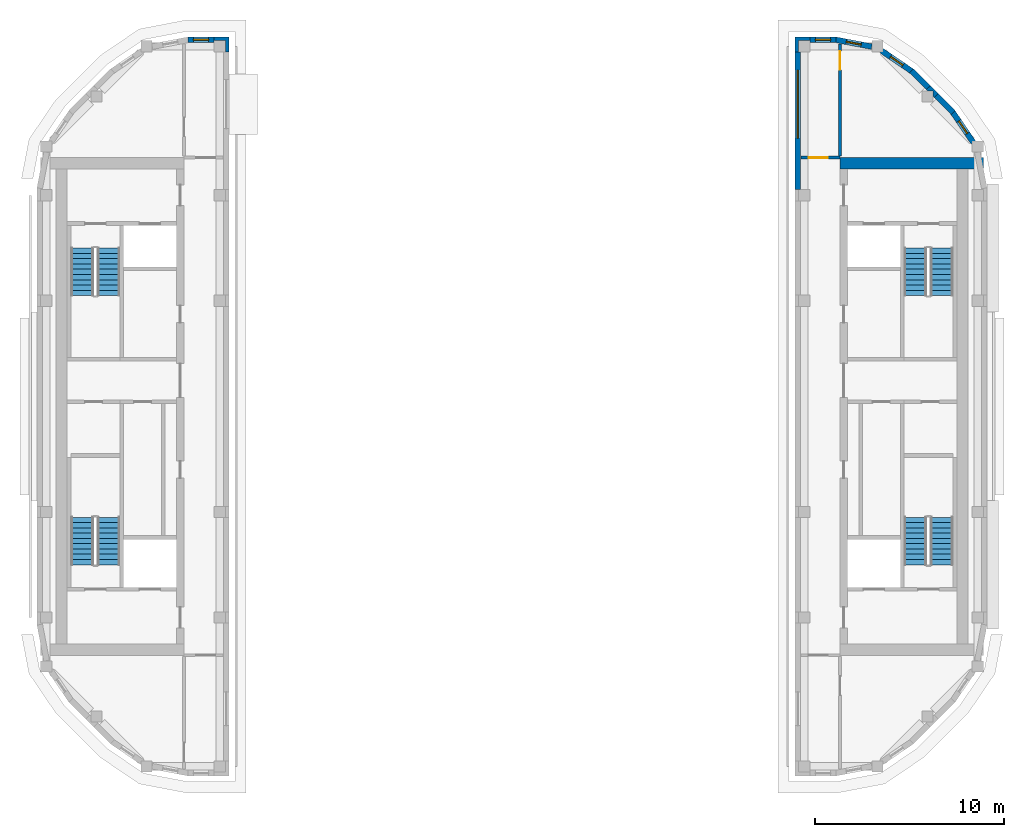
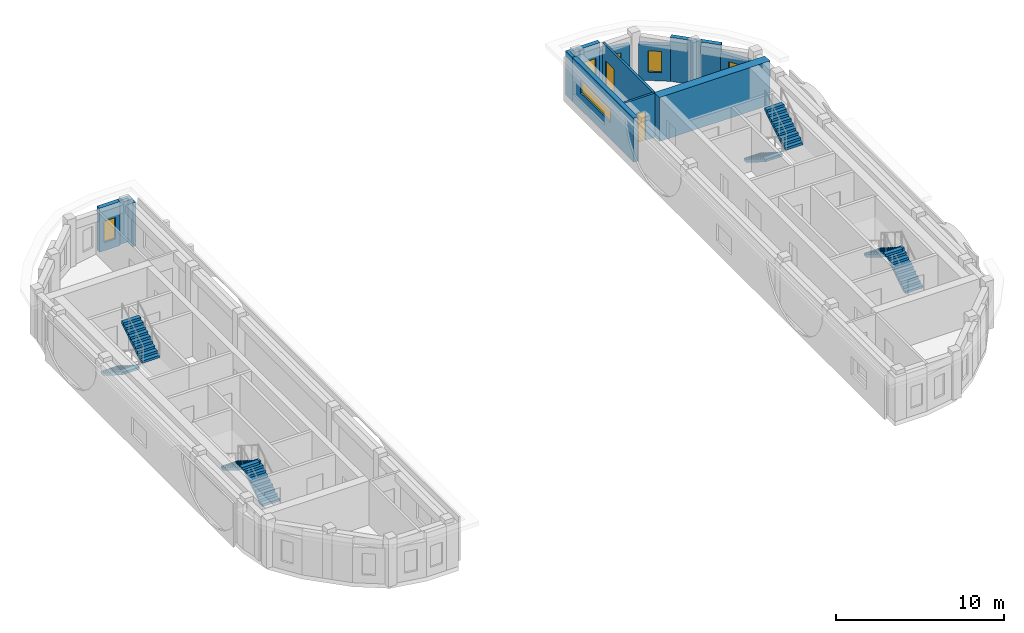
# One storey, part 5 of 12: 14 walls, 8 stair flights, 6 windows, 2 doors, 8 openings, 4 elements without a shape of their own.
"""IFC4 building model written with IfcOpenShell, lengths in metres."""

from ifc_helpers import new_model, si_unit, direction, frame, frame_2d, origin, place, context, subcontext, project, spatial, polyline, rectangle, outline, extrude, material, layer, layer_set, type_object, element, fill, aggregate, save


model = new_model("IFC4")

# Units and contexts
model_context = context("Model", 3, precision=1e-05, world=origin(), true_north=direction((0.0, 1.0)))
body_context = subcontext(model_context, "Body", "Model", "MODEL_VIEW")
ifc_project = project(units=[si_unit("LENGTHUNIT", "METRE"), si_unit("AREAUNIT", "SQUARE_METRE"), si_unit("VOLUMEUNIT", "CUBIC_METRE"), si_unit("PLANEANGLEUNIT", "RADIAN"), si_unit("MASSUNIT", "GRAM", prefix="KILO")], contexts=[model_context])

# Site, building, storey
site_placement = place(None, origin())
site = spatial("IfcSite", under=ifc_project, at=site_placement, CompositionType="ELEMENT")
building_placement = place(site_placement, origin())
building = spatial("IfcBuilding", under=site, at=building_placement, Name="Kiln Ring Residences", CompositionType="ELEMENT")
storey_placement = place(building_placement, frame((0.0, 0.0, 306.89990234375)))
storey = spatial("IfcBuildingStorey", under=building, at=storey_placement, Name="L79 Crown", CompositionType="ELEMENT", Elevation=306.89990234375)

# Wall
ifc_material_1 = material(Name="Concrete C60/75", Category="concrete")
ifc_layer_1 = layer(ifc_material_1, 0.60009765625)
ifc_layer_set_1 = layer_set([ifc_layer_1], Name="CORE-WALL-RC600")
wall_type_1 = type_object("IfcWallType", Name="CORE-WALL-RC600", PredefinedType="SHEAR", material=ifc_layer_set_1)
wall_1_placement = place(storey_placement, frame((17.39990234375, 12.89990234375, 0.0), z_axis=(0.0, 0.0, 1.0), x_axis=(1.0, 0.0, 0.0)))
element("IfcWall", 1, at=wall_1_placement, inside=storey, type_object=wall_type_1, Name="Core wall east L79 Crown 4", PredefinedType="SHEAR", context=body_context, shape_type="SweptSolid", body=[
    extrude(rectangle(XDim=7.60009765625, YDim=0.60009765625, at=frame_2d((3.800048828125, 0.0))), origin(), (0.0, 0.0, 1.0), 3.2001953125),
])

# Wall, opening, window
ifc_material_2 = material(Name="Brick masonry, dark clay brick", Category="masonry")
ifc_layer_2 = layer(ifc_material_2, 0.300048828125)
ifc_layer_set_2 = layer_set([ifc_layer_2], Name="EW-300 BRICK WALL")
wall_type_2 = type_object("IfcWallType", Name="EW-300 BRICK WALL", PredefinedType="SOLIDWALL", material=ifc_layer_set_2)
wall_2_placement = place(storey_placement, frame((-15.800048828125, 19.449951171875, 0.0), z_axis=(0.0, 0.0, 1.0), x_axis=(-1.0, 0.0, 0.0)))
wall_2 = element("IfcWall", 2, at=wall_2_placement, inside=storey, type_object=wall_type_2, Name="Facade wall L79 Crown 9", PredefinedType="SOLIDWALL", context=body_context, shape_type="SweptSolid", body=[
    extrude(rectangle(XDim=1.39990234375, YDim=0.300048828125, at=frame_2d((0.699951171875, 0.0))), origin(), (0.0, 0.0, 1.0), 3.2001953125),
])
opening_1_placement = place(wall_2_placement, frame((0.300048828125, 0.0, 0.60009765625)))
opening_1 = element("IfcOpeningElement", 3, at=opening_1_placement, cuts=wall_2, Name="Opening W5", PredefinedType="OPENING", context=body_context, shape_type="SweptSolid", body=[
    extrude(rectangle(XDim=0.800048828125, YDim=1.550048828125, at=frame_2d((0.39990234375, 0.77490234375))), frame((0.0, 0.159912109375, 0.0), z_axis=(0.0, -1.0, 0.0), x_axis=(1.0, 0.0, 0.0)), (0.0, 0.0, 1.0), 0.320068359375),
])
ifc_material_3 = material(Name="Aluminium frame with double glazing", Category="aluminium")
window_type_1 = type_object("IfcWindowType", Name="WINDOW 800 x 1550", PartitioningType="SINGLE_PANEL", PredefinedType="WINDOW", material=ifc_material_3)
window_1_placement = place(opening_1_placement, origin())
window_1 = element("IfcWindow", 4, at=window_1_placement, inside=storey, type_object=window_type_1, Name="Window L79 Crown 6", OverallHeight=1.550048828125, OverallWidth=0.800048828125, PartitioningType="SINGLE_PANEL", PredefinedType="WINDOW", context=body_context, shape_type="SweptSolid", body=[
    extrude(rectangle(XDim=0.800048828125, YDim=1.550048828125, at=frame_2d((0.39990234375, 0.77490234375))), frame((0.0, 0.030029296875, 0.0), z_axis=(0.0, -1.0, 0.0), x_axis=(1.0, 0.0, 0.0)), (0.0, 0.0, 1.0), 0.06005859375),
])
fill(opening_1, window_1)

wall_3_placement = place(storey_placement, frame((15.14990234375, 18.800048828125, 0.0), z_axis=(0.0, 0.0, 1.0), x_axis=(0.0, -1.0, 0.0)))
wall_3 = element("IfcWall", 5, at=wall_3_placement, inside=storey, type_object=wall_type_2, Name="Facade wall L79 Crown 23", PredefinedType="SOLIDWALL", context=body_context, shape_type="SweptSolid", body=[
    extrude(rectangle(XDim=7.300048828125, YDim=0.300048828125, at=frame_2d((3.64990234375, 0.0))), origin(), (0.0, 0.0, 1.0), 3.2001953125),
])
opening_2_placement = place(wall_3_placement, frame((0.96240234375, 0.0, 1.199951171875)))
opening_2 = element("IfcOpeningElement", 6, at=opening_2_placement, cuts=wall_3, Name="Opening W4", PredefinedType="OPENING", context=body_context, shape_type="SweptSolid", body=[
    extrude(rectangle(XDim=3.60009765625, YDim=0.949951171875, at=frame_2d((1.800048828125, 0.47509765625))), frame((0.0, 0.159912109375, 0.0), z_axis=(0.0, -1.0, 0.0), x_axis=(1.0, 0.0, 0.0)), (0.0, 0.0, 1.0), 0.320068359375),
])
ifc_material_4 = material(Name="Aluminium frame with double glazing", Category="aluminium")
window_type_2 = type_object("IfcWindowType", Name="WINDOW 3600 x 950", PartitioningType="SINGLE_PANEL", PredefinedType="WINDOW", material=ifc_material_4)
window_2_placement = place(opening_2_placement, origin())
window_2 = element("IfcWindow", 7, at=window_2_placement, inside=storey, type_object=window_type_2, Name="Window L79 Crown 11", OverallHeight=0.949951171875, OverallWidth=3.60009765625, PartitioningType="SINGLE_PANEL", PredefinedType="WINDOW", context=body_context, shape_type="SweptSolid", body=[
    extrude(rectangle(XDim=3.60009765625, YDim=0.949951171875, at=frame_2d((1.800048828125, 0.47509765625))), frame((0.0, 0.030029296875, 0.0), z_axis=(0.0, -1.0, 0.0), x_axis=(1.0, 0.0, 0.0)), (0.0, 0.0, 1.0), 0.06005859375),
])
fill(opening_2, window_2)

wall_4_placement = place(storey_placement, frame((24.4736328125, 14.001708984375, 0.0), z_axis=(0.0, 0.0, 1.0), x_axis=(-0.562025435703, 0.827119948752, 0.0)))
wall_4 = element("IfcWall", 8, at=wall_4_placement, inside=storey, type_object=wall_type_2, Name="Facade wall L79 Crown 39", PredefinedType="SOLIDWALL", context=body_context, shape_type="SweptSolid", body=[
    extrude(rectangle(XDim=1.94775390625, YDim=0.300048828125, at=frame_2d((0.973876953125, 0.0))), origin(), (0.0, 0.0, 1.0), 2.60009765625),
])
opening_3_placement = place(wall_4_placement, frame((0.573974609375, 0.0, 0.60009765625)))
opening_3 = element("IfcOpeningElement", 9, at=opening_3_placement, cuts=wall_4, Name="Opening W5", PredefinedType="OPENING", context=body_context, shape_type="SweptSolid", body=[
    extrude(rectangle(XDim=0.800048828125, YDim=1.550048828125, at=frame_2d((0.39990234375, 0.77490234375))), frame((0.0, 0.159912109375, 0.0), z_axis=(0.0, -1.0, 0.0), x_axis=(1.0, 0.0, 0.0)), (0.0, 0.0, 1.0), 0.320068359375),
])
window_3_placement = place(opening_3_placement, origin())
window_3 = element("IfcWindow", 10, at=window_3_placement, inside=storey, type_object=window_type_1, Name="Window L79 Crown 17", OverallHeight=1.550048828125, OverallWidth=0.800048828125, PartitioningType="SINGLE_PANEL", PredefinedType="WINDOW", context=body_context, shape_type="SweptSolid", body=[
    extrude(rectangle(XDim=0.800048828125, YDim=1.550048828125, at=frame_2d((0.39990234375, 0.77490234375))), frame((0.0, 0.030029296875, 0.0), z_axis=(0.0, -1.0, 0.0), x_axis=(1.0, 0.0, 0.0)), (0.0, 0.0, 1.0), 0.06005859375),
])
fill(opening_3, window_3)

# Walls
for number, where, z_axis, x_axis, name in (
    (11, (23.39697265625, 15.591064453125, 0.0), (0.0, 0.0, 1.0), (-0.707203678312, 0.707009870781, 0.0), "Facade wall L79 Crown 40"),
    (12, (22.081787109375, 16.906005859375, 0.0), (0.0, 0.0, 1.0), (-0.707106781187, 0.707106781187, 0.0), "Facade wall L79 Crown 41"),
):
    element("IfcWall", number, at=place(storey_placement, frame(where, z_axis=z_axis, x_axis=x_axis)), inside=storey, type_object=wall_type_2, Name=name, PredefinedType="SOLIDWALL", context=body_context, shape_type="SweptSolid", body=[
        extrude(rectangle(XDim=1.259765625, YDim=0.300048828125, at=frame_2d((0.6298828125, 0.0))), origin(), (0.0, 0.0, 1.0), 3.2001953125),
    ])

# Wall, opening, window
wall_5_placement = place(storey_placement, frame((21.212646484375, 17.77880859375, 0.0), z_axis=(0.0, 0.0, 1.0), x_axis=(-0.827022075481, 0.562169446579, 0.0)))
wall_5 = element("IfcWall", 13, at=wall_5_placement, inside=storey, type_object=wall_type_2, Name="Facade wall L79 Crown 42", PredefinedType="SOLIDWALL", context=body_context, shape_type="SweptSolid", body=[
    extrude(rectangle(XDim=1.94775390625, YDim=0.300048828125, at=frame_2d((0.973876953125, 0.0))), origin(), (0.0, 0.0, 1.0), 2.60009765625),
])
opening_4_placement = place(wall_5_placement, frame((0.573974609375, 0.0, 0.60009765625)))
opening_4 = element("IfcOpeningElement", 14, at=opening_4_placement, cuts=wall_5, Name="Opening W5", PredefinedType="OPENING", context=body_context, shape_type="SweptSolid", body=[
    extrude(rectangle(XDim=0.800048828125, YDim=1.550048828125, at=frame_2d((0.39990234375, 0.77490234375))), frame((0.0, 0.159912109375, 0.0), z_axis=(0.0, -1.0, 0.0), x_axis=(1.0, 0.0, 0.0)), (0.0, 0.0, 1.0), 0.320068359375),
])
window_4_placement = place(opening_4_placement, origin())
window_4 = element("IfcWindow", 15, at=window_4_placement, inside=storey, type_object=window_type_1, Name="Window L79 Crown 18", OverallHeight=1.550048828125, OverallWidth=0.800048828125, PartitioningType="SINGLE_PANEL", PredefinedType="WINDOW", context=body_context, shape_type="SweptSolid", body=[
    extrude(rectangle(XDim=0.800048828125, YDim=1.550048828125, at=frame_2d((0.39990234375, 0.77490234375))), frame((0.0, 0.030029296875, 0.0), z_axis=(0.0, -1.0, 0.0), x_axis=(1.0, 0.0, 0.0)), (0.0, 0.0, 1.0), 0.06005859375),
])
fill(opening_4, window_4)

wall_6_placement = place(storey_placement, frame((19.085205078125, 19.087646484375, 0.0), z_axis=(0.0, 0.0, 1.0), x_axis=(-0.982286967073, 0.187382801553, 0.0)))
wall_6 = element("IfcWall", 16, at=wall_6_placement, inside=storey, type_object=wall_type_2, Name="Facade wall L79 Crown 43", PredefinedType="SOLIDWALL", context=body_context, shape_type="SweptSolid", body=[
    extrude(rectangle(XDim=1.94775390625, YDim=0.300048828125, at=frame_2d((0.973876953125, 0.0))), origin(), (0.0, 0.0, 1.0), 2.60009765625),
])
opening_5_placement = place(wall_6_placement, frame((0.573974609375, 0.0, 0.60009765625)))
opening_5 = element("IfcOpeningElement", 17, at=opening_5_placement, cuts=wall_6, Name="Opening W5", PredefinedType="OPENING", context=body_context, shape_type="SweptSolid", body=[
    extrude(rectangle(XDim=0.800048828125, YDim=1.550048828125, at=frame_2d((0.39990234375, 0.77490234375))), frame((0.0, 0.159912109375, 0.0), z_axis=(0.0, -1.0, 0.0), x_axis=(1.0, 0.0, 0.0)), (0.0, 0.0, 1.0), 0.320068359375),
])
window_5_placement = place(opening_5_placement, origin())
window_5 = element("IfcWindow", 18, at=window_5_placement, inside=storey, type_object=window_type_1, Name="Window L79 Crown 19", OverallHeight=1.550048828125, OverallWidth=0.800048828125, PartitioningType="SINGLE_PANEL", PredefinedType="WINDOW", context=body_context, shape_type="SweptSolid", body=[
    extrude(rectangle(XDim=0.800048828125, YDim=1.550048828125, at=frame_2d((0.39990234375, 0.77490234375))), frame((0.0, 0.030029296875, 0.0), z_axis=(0.0, -1.0, 0.0), x_axis=(1.0, 0.0, 0.0)), (0.0, 0.0, 1.0), 0.06005859375),
])
fill(opening_5, window_5)

wall_7_placement = place(storey_placement, frame((17.199951171875, 19.449951171875, 0.0), z_axis=(0.0, 0.0, 1.0), x_axis=(-1.0, 0.0, 0.0)))
wall_7 = element("IfcWall", 19, at=wall_7_placement, inside=storey, type_object=wall_type_2, Name="Facade wall L79 Crown 44", PredefinedType="SOLIDWALL", context=body_context, shape_type="SweptSolid", body=[
    extrude(rectangle(XDim=1.39990234375, YDim=0.300048828125, at=frame_2d((0.699951171875, 0.0))), origin(), (0.0, 0.0, 1.0), 3.2001953125),
])
opening_6_placement = place(wall_7_placement, frame((0.300048828125, 0.0, 0.60009765625)))
opening_6 = element("IfcOpeningElement", 20, at=opening_6_placement, cuts=wall_7, Name="Opening W5", PredefinedType="OPENING", context=body_context, shape_type="SweptSolid", body=[
    extrude(rectangle(XDim=0.800048828125, YDim=1.550048828125, at=frame_2d((0.39990234375, 0.77490234375))), frame((0.0, 0.159912109375, 0.0), z_axis=(0.0, -1.0, 0.0), x_axis=(1.0, 0.0, 0.0)), (0.0, 0.0, 1.0), 0.320068359375),
])
window_6_placement = place(opening_6_placement, origin())
window_6 = element("IfcWindow", 21, at=window_6_placement, inside=storey, type_object=window_type_1, Name="Window L79 Crown 20", OverallHeight=1.550048828125, OverallWidth=0.800048828125, PartitioningType="SINGLE_PANEL", PredefinedType="WINDOW", context=body_context, shape_type="SweptSolid", body=[
    extrude(rectangle(XDim=0.800048828125, YDim=1.550048828125, at=frame_2d((0.39990234375, 0.77490234375))), frame((0.0, 0.030029296875, 0.0), z_axis=(0.0, -1.0, 0.0), x_axis=(1.0, 0.0, 0.0)), (0.0, 0.0, 1.0), 0.06005859375),
])
fill(opening_6, window_6)

# Walls
placement = place(storey_placement, origin())
element("IfcWall", 22, at=placement, inside=storey, type_object=wall_type_2, Name="Corner wall L79 Crown 6", PredefinedType="SOLIDWALL", context=body_context, shape_type="SweptSolid", body=[
    extrude(outline(polyline([(-15.0, 18.800048828125), (-15.0, 19.60009765625), (-15.800048828125, 19.60009765625), (-15.800048828125, 19.39990234375), (-15.199951171875, 19.39990234375), (-15.199951171875, 18.800048828125), (-15.0, 18.800048828125)])), origin(), (0.0, 0.0, 1.0), 3.2001953125),
])
element("IfcWall", 23, at=placement, inside=storey, type_object=wall_type_2, Name="Corner wall L79 Crown 13", PredefinedType="SOLIDWALL", context=body_context, shape_type="SweptSolid", body=[
    extrude(outline(polyline([(22.39990234375, 16.375732421875), (22.612060546875, 16.587890625), (22.18798828125, 17.01220703125), (21.9755859375, 16.800048828125), (22.029296875, 16.746337890625), (22.346435546875, 16.746337890625), (22.346435546875, 16.42919921875), (22.39990234375, 16.375732421875)])), origin(), (0.0, 0.0, 1.0), 3.2001953125),
])
element("IfcWall", 24, at=placement, inside=storey, type_object=wall_type_2, Name="Corner wall L79 Crown 24", PredefinedType="SOLIDWALL", context=body_context, shape_type="SweptSolid", body=[
    extrude(outline(polyline([(15.800048828125, 19.60009765625), (15.0, 19.60009765625), (15.0, 18.800048828125), (15.199951171875, 18.800048828125), (15.199951171875, 19.39990234375), (15.800048828125, 19.39990234375), (15.800048828125, 19.60009765625)])), origin(), (0.0, 0.0, 1.0), 3.2001953125),
])

# Wall, opening, door
ifc_material_5 = material(Name="Brick masonry partition", Category="masonry")
ifc_layer_3 = layer(ifc_material_5, 0.14990234375)
ifc_layer_set_3 = layer_set([ifc_layer_3], Name="PARTITION-150-ei60")
wall_type_3 = type_object("IfcWallType", Name="PARTITION-150-ei60", PredefinedType="PARTITIONING", material=ifc_layer_set_3)
wall_11_placement = place(storey_placement, frame((15.320068359375, 13.199951171875, 0.0), z_axis=(0.0, 0.0, 1.0), x_axis=(1.0, 0.0, 0.0)))
wall_11 = element("IfcWall", 25, at=wall_11_placement, inside=storey, type_object=wall_type_3, Name="Partition 003", PredefinedType="PARTITIONING", context=body_context, shape_type="SweptSolid", body=[
    extrude(rectangle(XDim=2.0849609375, YDim=0.14990234375, at=frame_2d((1.04248046875, 0.0))), origin(), (0.0, 0.0, 1.0), 3.2001953125),
])
opening_7_placement = place(wall_11_placement, frame((0.429931640625, 0.0, 0.0)))
opening_7 = element("IfcOpeningElement", 26, at=opening_7_placement, cuts=wall_11, Name="Opening L79-D005", PredefinedType="OPENING", context=body_context, shape_type="SweptSolid", body=[
    extrude(rectangle(XDim=1.0, YDim=2.10009765625, at=frame_2d((0.5, 1.050048828125))), frame((0.0, 0.0849609375, 0.0), z_axis=(0.0, -1.0, 0.0), x_axis=(1.0, 0.0, 0.0)), (0.0, 0.0, 1.0), 0.169921875),
])
ifc_material_6 = material(Name="Steel faced fire door leaf", Category="steel")
door_type = type_object("IfcDoorType", Name="FLAT-DOOR-1000-FR", OperationType="SINGLE_SWING_LEFT", PredefinedType="DOOR", material=ifc_material_6)
door_1_placement = place(opening_7_placement, origin())
door_1 = element("IfcDoor", 27, at=door_1_placement, inside=storey, type_object=door_type, Name="Door L79-D005", OperationType="SINGLE_SWING_RIGHT", OverallHeight=2.10009765625, OverallWidth=1.0, PredefinedType="DOOR", context=body_context, shape_type="SweptSolid", body=[
    extrude(rectangle(XDim=1.0, YDim=2.10009765625, at=frame_2d((0.5, 1.050048828125))), frame((0.0, 0.02490234375, 0.0), z_axis=(0.0, -1.0, 0.0), x_axis=(1.0, 0.0, 0.0)), (0.0, 0.0, 1.0), 0.050048828125),
])
fill(opening_7, door_1)

wall_12_placement = place(storey_placement, frame((17.39990234375, 13.27490234375, 0.0), z_axis=(0.0, 0.0, 1.0), x_axis=(0.0, 1.0, 0.0)))
wall_12 = element("IfcWall", 28, at=wall_12_placement, inside=storey, type_object=wall_type_3, Name="Partition 007", PredefinedType="PARTITIONING", context=body_context, shape_type="SweptSolid", body=[
    extrude(rectangle(XDim=5.96142578125, YDim=0.14990234375, at=frame_2d((2.980712890625, 0.0))), origin(), (0.0, 0.0, 1.0), 3.2001953125),
])
opening_8_placement = place(wall_12_placement, frame((4.574951171875, 0.0, 0.0)))
opening_8 = element("IfcOpeningElement", 29, at=opening_8_placement, cuts=wall_12, Name="Opening L79-D006", PredefinedType="OPENING", context=body_context, shape_type="SweptSolid", body=[
    extrude(rectangle(XDim=1.0, YDim=2.10009765625, at=frame_2d((0.5, 1.050048828125))), frame((0.0, 0.0849609375, 0.0), z_axis=(0.0, -1.0, 0.0), x_axis=(1.0, 0.0, 0.0)), (0.0, 0.0, 1.0), 0.169921875),
])
door_2_placement = place(opening_8_placement, origin())
door_2 = element("IfcDoor", 30, at=door_2_placement, inside=storey, type_object=door_type, Name="Door L79-D006", OperationType="SINGLE_SWING_RIGHT", OverallHeight=2.10009765625, OverallWidth=1.0, PredefinedType="DOOR", context=body_context, shape_type="SweptSolid", body=[
    extrude(rectangle(XDim=1.0, YDim=2.10009765625, at=frame_2d((0.5, 1.050048828125))), frame((0.0, 0.02490234375, 0.0), z_axis=(0.0, -1.0, 0.0), x_axis=(1.0, 0.0, 0.0)), (0.0, 0.0, 1.0), 0.050048828125),
])
fill(opening_8, door_2)

# Stair, stair flights
ifc_material_7 = material(Name="Concrete C40/50", Category="concrete")
stair_type = type_object("IfcStairType", Name="CORE-STAIR", PredefinedType="HALF_TURN_STAIR", material=ifc_material_7)
stair_1 = element("IfcStair", 31, at=placement, inside=storey, type_object=stair_type, Name="L79 Crown stair W-STN", PredefinedType="HALF_TURN_STAIR")
ifc_material_8 = material(Name="Concrete C40/50", Category="concrete")
stair_flight_type = type_object("IfcStairFlightType", Name="CORE-STAIR-FLIGHT", PredefinedType="STRAIGHT", material=ifc_material_8)
stair_flight_1_placement = place(storey_placement, frame((-22.800048828125, 8.39990234375, 0.0), z_axis=(0.0, 0.0, 1.0), x_axis=(0.0, -1.0, 0.0)))
stair_flight_1 = element("IfcStairFlight", 32, at=stair_flight_1_placement, type_object=stair_flight_type, Name="W-STN flight 1", NumberOfRisers=10, NumberOfTreads=9, PredefinedType="STRAIGHT", RiserHeight=0.175, TreadLength=0.28, context=body_context, shape_type="SweptSolid", body=[
    extrude(outline(polyline([(0.0, 0.0), (0.0, 0.175048828125), (0.280029296875, 0.175048828125), (0.280029296875, 0.35009765625), (0.56005859375, 0.35009765625), (0.56005859375, 0.52490234375), (0.840087890625, 0.52490234375), (0.840087890625, 0.699951171875), (1.1201171875, 0.699951171875), (1.1201171875, 0.875), (1.39990234375, 0.875), (1.39990234375, 1.050048828125), (1.679931640625, 1.050048828125), (1.679931640625, 1.22509765625), (1.9599609375, 1.22509765625), (1.9599609375, 1.39990234375), (2.239990234375, 1.39990234375), (2.239990234375, 1.574951171875), (2.52001953125, 1.574951171875), (2.52001953125, 1.75), (2.52001953125, 1.398193359375), (0.28271484375, 0.0), (0.0, 0.0)])), frame((0.0, 0.60009765625, 0.0), z_axis=(0.0, -1.0, 0.0), x_axis=(1.0, 0.0, 0.0)), (0.0, 0.0, 1.0), 1.199951171875),
])
stair_flight_2_placement = place(storey_placement, frame((-21.39990234375, 5.8798828125, 1.75), z_axis=(0.0, 0.0, 1.0), x_axis=(0.0, 1.0, 0.0)))
stair_flight_2 = element("IfcStairFlight", 33, at=stair_flight_2_placement, type_object=stair_flight_type, Name="W-STN flight 2", NumberOfRisers=10, NumberOfTreads=9, PredefinedType="STRAIGHT", RiserHeight=0.175, TreadLength=0.28, context=body_context, shape_type="SweptSolid", body=[
    extrude(outline(polyline([(0.0, 0.0), (0.0, 0.175048828125), (0.280029296875, 0.175048828125), (0.280029296875, 0.35009765625), (0.56005859375, 0.35009765625), (0.56005859375, 0.52490234375), (0.840087890625, 0.52490234375), (0.840087890625, 0.699951171875), (1.1201171875, 0.699951171875), (1.1201171875, 0.875), (1.39990234375, 0.875), (1.39990234375, 1.050048828125), (1.679931640625, 1.050048828125), (1.679931640625, 1.22509765625), (1.9599609375, 1.22509765625), (1.9599609375, 1.39990234375), (2.239990234375, 1.39990234375), (2.239990234375, 1.574951171875), (2.52001953125, 1.574951171875), (2.52001953125, 1.75), (2.52001953125, 1.398193359375), (0.28271484375, 0.0), (0.0, 0.0)])), frame((0.0, 0.60009765625, 0.0), z_axis=(0.0, -1.0, 0.0), x_axis=(1.0, 0.0, 0.0)), (0.0, 0.0, 1.0), 1.199951171875),
])
aggregate(stair_1, [stair_flight_1, stair_flight_2])

stair_2 = element("IfcStair", 34, at=placement, inside=storey, type_object=stair_type, Name="L79 Crown stair W-STS", PredefinedType="HALF_TURN_STAIR")
stair_flight_3_placement = place(storey_placement, frame((-21.39990234375, -8.39990234375, 0.0), z_axis=(0.0, 0.0, 1.0), x_axis=(0.0, 1.0, 0.0)))
stair_flight_3 = element("IfcStairFlight", 35, at=stair_flight_3_placement, type_object=stair_flight_type, Name="W-STS flight 1", NumberOfRisers=10, NumberOfTreads=9, PredefinedType="STRAIGHT", RiserHeight=0.175, TreadLength=0.28, context=body_context, shape_type="SweptSolid", body=[
    extrude(outline(polyline([(0.0, 0.0), (0.0, 0.175048828125), (0.280029296875, 0.175048828125), (0.280029296875, 0.35009765625), (0.56005859375, 0.35009765625), (0.56005859375, 0.52490234375), (0.840087890625, 0.52490234375), (0.840087890625, 0.699951171875), (1.1201171875, 0.699951171875), (1.1201171875, 0.875), (1.39990234375, 0.875), (1.39990234375, 1.050048828125), (1.679931640625, 1.050048828125), (1.679931640625, 1.22509765625), (1.9599609375, 1.22509765625), (1.9599609375, 1.39990234375), (2.239990234375, 1.39990234375), (2.239990234375, 1.574951171875), (2.52001953125, 1.574951171875), (2.52001953125, 1.75), (2.52001953125, 1.398193359375), (0.28271484375, 0.0), (0.0, 0.0)])), frame((0.0, 0.60009765625, 0.0), z_axis=(0.0, -1.0, 0.0), x_axis=(1.0, 0.0, 0.0)), (0.0, 0.0, 1.0), 1.199951171875),
])
stair_flight_4_placement = place(storey_placement, frame((-22.800048828125, -5.8798828125, 1.75), z_axis=(0.0, 0.0, 1.0), x_axis=(0.0, -1.0, 0.0)))
stair_flight_4 = element("IfcStairFlight", 36, at=stair_flight_4_placement, type_object=stair_flight_type, Name="W-STS flight 2", NumberOfRisers=10, NumberOfTreads=9, PredefinedType="STRAIGHT", RiserHeight=0.175, TreadLength=0.28, context=body_context, shape_type="SweptSolid", body=[
    extrude(outline(polyline([(0.0, 0.0), (0.0, 0.175048828125), (0.280029296875, 0.175048828125), (0.280029296875, 0.35009765625), (0.56005859375, 0.35009765625), (0.56005859375, 0.52490234375), (0.840087890625, 0.52490234375), (0.840087890625, 0.699951171875), (1.1201171875, 0.699951171875), (1.1201171875, 0.875), (1.39990234375, 0.875), (1.39990234375, 1.050048828125), (1.679931640625, 1.050048828125), (1.679931640625, 1.22509765625), (1.9599609375, 1.22509765625), (1.9599609375, 1.39990234375), (2.239990234375, 1.39990234375), (2.239990234375, 1.574951171875), (2.52001953125, 1.574951171875), (2.52001953125, 1.75), (2.52001953125, 1.398193359375), (0.28271484375, 0.0), (0.0, 0.0)])), frame((0.0, 0.60009765625, 0.0), z_axis=(0.0, -1.0, 0.0), x_axis=(1.0, 0.0, 0.0)), (0.0, 0.0, 1.0), 1.199951171875),
])
aggregate(stair_2, [stair_flight_3, stair_flight_4])

stair_3 = element("IfcStair", 37, at=placement, inside=storey, type_object=stair_type, Name="L79 Crown stair E-STN", PredefinedType="HALF_TURN_STAIR")
stair_flight_5_placement = place(storey_placement, frame((21.39990234375, 8.39990234375, 0.0), z_axis=(0.0, 0.0, 1.0), x_axis=(0.0, -1.0, 0.0)))
stair_flight_5 = element("IfcStairFlight", 38, at=stair_flight_5_placement, type_object=stair_flight_type, Name="E-STN flight 1", NumberOfRisers=10, NumberOfTreads=9, PredefinedType="STRAIGHT", RiserHeight=0.175, TreadLength=0.28, context=body_context, shape_type="SweptSolid", body=[
    extrude(outline(polyline([(0.0, 0.0), (0.0, 0.175048828125), (0.280029296875, 0.175048828125), (0.280029296875, 0.35009765625), (0.56005859375, 0.35009765625), (0.56005859375, 0.52490234375), (0.840087890625, 0.52490234375), (0.840087890625, 0.699951171875), (1.1201171875, 0.699951171875), (1.1201171875, 0.875), (1.39990234375, 0.875), (1.39990234375, 1.050048828125), (1.679931640625, 1.050048828125), (1.679931640625, 1.22509765625), (1.9599609375, 1.22509765625), (1.9599609375, 1.39990234375), (2.239990234375, 1.39990234375), (2.239990234375, 1.574951171875), (2.52001953125, 1.574951171875), (2.52001953125, 1.75), (2.52001953125, 1.398193359375), (0.28271484375, 0.0), (0.0, 0.0)])), frame((0.0, 0.60009765625, 0.0), z_axis=(0.0, -1.0, 0.0), x_axis=(1.0, 0.0, 0.0)), (0.0, 0.0, 1.0), 1.199951171875),
])
stair_flight_6_placement = place(storey_placement, frame((22.800048828125, 5.8798828125, 1.75), z_axis=(0.0, 0.0, 1.0), x_axis=(0.0, 1.0, 0.0)))
stair_flight_6 = element("IfcStairFlight", 39, at=stair_flight_6_placement, type_object=stair_flight_type, Name="E-STN flight 2", NumberOfRisers=10, NumberOfTreads=9, PredefinedType="STRAIGHT", RiserHeight=0.175, TreadLength=0.28, context=body_context, shape_type="SweptSolid", body=[
    extrude(outline(polyline([(0.0, 0.0), (0.0, 0.175048828125), (0.280029296875, 0.175048828125), (0.280029296875, 0.35009765625), (0.56005859375, 0.35009765625), (0.56005859375, 0.52490234375), (0.840087890625, 0.52490234375), (0.840087890625, 0.699951171875), (1.1201171875, 0.699951171875), (1.1201171875, 0.875), (1.39990234375, 0.875), (1.39990234375, 1.050048828125), (1.679931640625, 1.050048828125), (1.679931640625, 1.22509765625), (1.9599609375, 1.22509765625), (1.9599609375, 1.39990234375), (2.239990234375, 1.39990234375), (2.239990234375, 1.574951171875), (2.52001953125, 1.574951171875), (2.52001953125, 1.75), (2.52001953125, 1.398193359375), (0.28271484375, 0.0), (0.0, 0.0)])), frame((0.0, 0.60009765625, 0.0), z_axis=(0.0, -1.0, 0.0), x_axis=(1.0, 0.0, 0.0)), (0.0, 0.0, 1.0), 1.199951171875),
])
aggregate(stair_3, [stair_flight_5, stair_flight_6])

stair_4 = element("IfcStair", 40, at=placement, inside=storey, type_object=stair_type, Name="L79 Crown stair E-STS", PredefinedType="HALF_TURN_STAIR")
stair_flight_7_placement = place(storey_placement, frame((22.800048828125, -8.39990234375, 0.0), z_axis=(0.0, 0.0, 1.0), x_axis=(0.0, 1.0, 0.0)))
stair_flight_7 = element("IfcStairFlight", 41, at=stair_flight_7_placement, type_object=stair_flight_type, Name="E-STS flight 1", NumberOfRisers=10, NumberOfTreads=9, PredefinedType="STRAIGHT", RiserHeight=0.175, TreadLength=0.28, context=body_context, shape_type="SweptSolid", body=[
    extrude(outline(polyline([(0.0, 0.0), (0.0, 0.175048828125), (0.280029296875, 0.175048828125), (0.280029296875, 0.35009765625), (0.56005859375, 0.35009765625), (0.56005859375, 0.52490234375), (0.840087890625, 0.52490234375), (0.840087890625, 0.699951171875), (1.1201171875, 0.699951171875), (1.1201171875, 0.875), (1.39990234375, 0.875), (1.39990234375, 1.050048828125), (1.679931640625, 1.050048828125), (1.679931640625, 1.22509765625), (1.9599609375, 1.22509765625), (1.9599609375, 1.39990234375), (2.239990234375, 1.39990234375), (2.239990234375, 1.574951171875), (2.52001953125, 1.574951171875), (2.52001953125, 1.75), (2.52001953125, 1.398193359375), (0.28271484375, 0.0), (0.0, 0.0)])), frame((0.0, 0.60009765625, 0.0), z_axis=(0.0, -1.0, 0.0), x_axis=(1.0, 0.0, 0.0)), (0.0, 0.0, 1.0), 1.199951171875),
])
stair_flight_8_placement = place(storey_placement, frame((21.39990234375, -5.8798828125, 1.75), z_axis=(0.0, 0.0, 1.0), x_axis=(0.0, -1.0, 0.0)))
stair_flight_8 = element("IfcStairFlight", 42, at=stair_flight_8_placement, type_object=stair_flight_type, Name="E-STS flight 2", NumberOfRisers=10, NumberOfTreads=9, PredefinedType="STRAIGHT", RiserHeight=0.175, TreadLength=0.28, context=body_context, shape_type="SweptSolid", body=[
    extrude(outline(polyline([(0.0, 0.0), (0.0, 0.175048828125), (0.280029296875, 0.175048828125), (0.280029296875, 0.35009765625), (0.56005859375, 0.35009765625), (0.56005859375, 0.52490234375), (0.840087890625, 0.52490234375), (0.840087890625, 0.699951171875), (1.1201171875, 0.699951171875), (1.1201171875, 0.875), (1.39990234375, 0.875), (1.39990234375, 1.050048828125), (1.679931640625, 1.050048828125), (1.679931640625, 1.22509765625), (1.9599609375, 1.22509765625), (1.9599609375, 1.39990234375), (2.239990234375, 1.39990234375), (2.239990234375, 1.574951171875), (2.52001953125, 1.574951171875), (2.52001953125, 1.75), (2.52001953125, 1.398193359375), (0.28271484375, 0.0), (0.0, 0.0)])), frame((0.0, 0.60009765625, 0.0), z_axis=(0.0, -1.0, 0.0), x_axis=(1.0, 0.0, 0.0)), (0.0, 0.0, 1.0), 1.199951171875),
])
aggregate(stair_4, [stair_flight_7, stair_flight_8])

save(model, "model.ifc")
